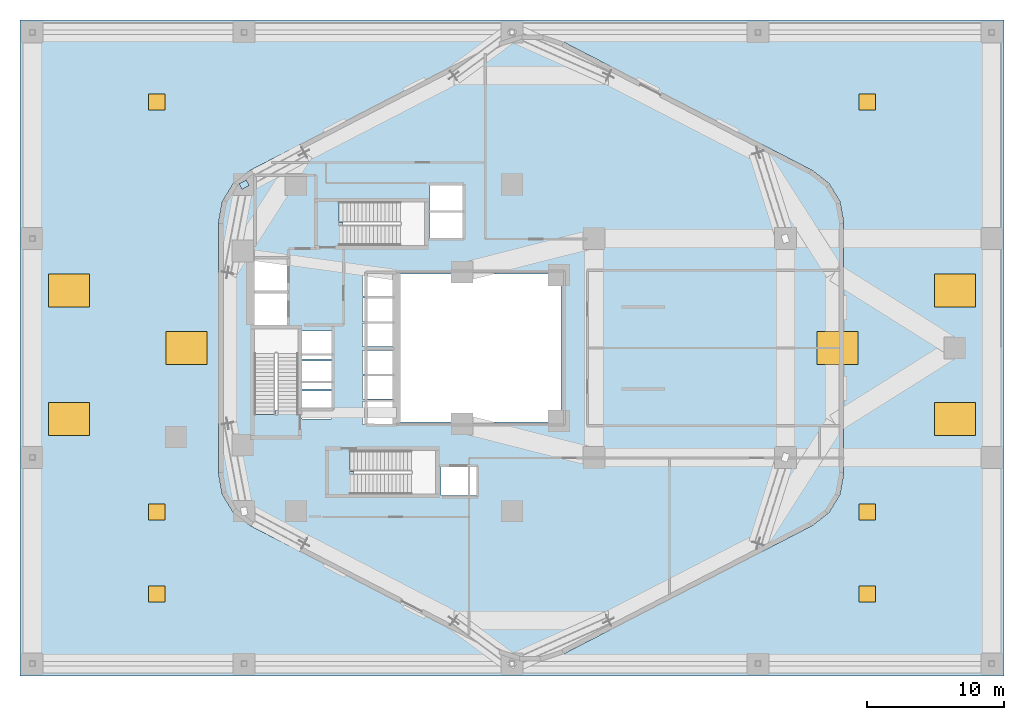
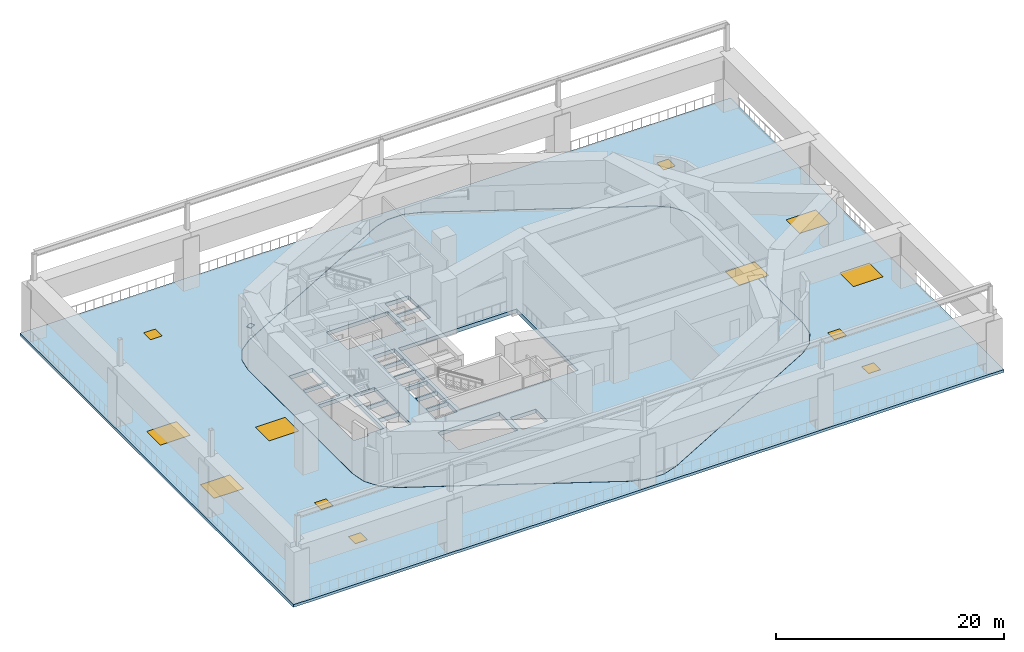
# One storey, part 8 of 15: 6 doors, 6 windows, 2 slabs, 1 plate, 12 openings, 1 element without a shape of its own.
"""IFC4 building model written with IfcOpenShell, lengths in metres."""

from ifc_helpers import new_model, si_unit, direction, frame, origin, origin_2d, place, context, subcontext, project, spatial, polyline, rectangle, outline, extrude, material, layer, layer_set, type_object, element, fill, aggregate, save


model = new_model("IFC4")

# Units and contexts
model_context = context("Model", 3, precision=1e-05, world=origin(), true_north=direction((0.0, 1.0)))
body_context = subcontext(model_context, "Body", "Model", "MODEL_VIEW")
ifc_project = project(units=[si_unit("LENGTHUNIT", "METRE"), si_unit("AREAUNIT", "SQUARE_METRE"), si_unit("VOLUMEUNIT", "CUBIC_METRE"), si_unit("PLANEANGLEUNIT", "RADIAN"), si_unit("MASSUNIT", "GRAM", prefix="KILO"), si_unit("THERMODYNAMICTEMPERATUREUNIT", "KELVIN"), si_unit("POWERUNIT", "WATT")], contexts=[model_context])

# Site, building, storey
site_placement = place(None, origin())
site = spatial("IfcSite", under=ifc_project, at=site_placement, CompositionType="ELEMENT")
building_placement = place(site_placement, origin())
building = spatial("IfcBuilding", under=site, at=building_placement, Name="Skarre Station Tower", CompositionType="ELEMENT")
storey_placement = place(building_placement, frame((0.0, 0.0, 21.0)))
storey = spatial("IfcBuildingStorey", under=building, at=storey_placement, Name="L05", CompositionType="ELEMENT", Elevation=21.0)

# Plate
ifc_material_1 = material(Name="Steel ASTM A572 Grade 50", Category="steel")
ifc_layer_1 = layer(ifc_material_1, 0.030029296875, Name="Steel ASTM A572 Grade 50")
ifc_layer_set_1 = layer_set([ifc_layer_1], Name="Steel ASTM A572 Grade 50")
plate_type = type_object("IfcPlateType", Name="Hollow-Section End Cap Plate 600x460x30", PredefinedType="USERDEFINED", material=ifc_layer_set_1)
plate_placement = place(storey_placement, frame((16.39990234375, 35.949951171875, 2.3349609375), z_axis=(0.0, 0.0, 1.0), x_axis=(0.881929491639, 0.471381344324, 0.0)))
element("IfcPlate", 1, at=plate_placement, inside=storey, type_object=plate_type, Name="L05 Transfer Brace Base Gusset Plate F1C2", ObjectType="STIFFENER_PLATE", PredefinedType="USERDEFINED", context=body_context, shape_type="SweptSolid", body=[
    extrude(rectangle(XDim=0.60009765625, YDim=0.4599609375, at=origin_2d()), origin(), (0.0, 0.0, 1.0), 0.030029296875),
])

# Roof, slab, openings, windows, doors
ifc_material_2 = material(Name="Precast concrete C40/50", Category="concrete")
ifc_layer_2 = layer(ifc_material_2, 0.320068359375, Name="Precast concrete C40/50")
ifc_layer_set_2 = layer_set([ifc_layer_2], Name="Precast concrete C40/50")
roof_type = type_object("IfcRoofType", Name="Insulated Standing-Seam & Inverted Ballasted Roof Assembly", PredefinedType="FLAT_ROOF", material=ifc_layer_set_2)
roof_placement = place(storey_placement, origin())
roof = element("IfcRoof", 2, at=roof_placement, inside=storey, type_object=roof_type, Name="L05 Station Podium Roof Terrace Assembly", PredefinedType="FLAT_ROOF")
ifc_material_3 = material(Name="Concrete C50/60", Category="concrete")
ifc_layer_3 = layer(ifc_material_3, 0.284912109375, Name="Concrete C50/60")
ifc_layer_set_3 = layer_set([ifc_layer_3], Name="Concrete C50/60")
slab_type_1 = type_object("IfcSlabType", Name="Occupied Terrace Roof Deck Slab 285", PredefinedType="ROOF", material=ifc_layer_set_3)
slab_1_placement = place(storey_placement, frame((0.0, 0.0, -0.284912109375)))
slab_1 = element("IfcSlab", 3, at=slab_1_placement, type_object=slab_type_1, Name="L05 Podium Roof Garden Terrace Slab", PredefinedType="ROOF", context=body_context, shape_type="SweptSolid", body=[
    extrude(outline(polyline([(72.0, 0.0), (72.0, 48.0), (0.0, 48.0), (0.0, 0.0), (72.0, 0.0)]), holes=[polyline([(60.27294921875, 33.202880859375), (60.27294921875, 14.797119140625), (59.990966796875, 13.27197265625), (59.18505859375, 11.947998046875), (57.958984375, 11.0), (39.712890625, 1.5830078125), (38.197998046875, 1.083984375), (36.60205078125, 1.083984375), (35.0869140625, 1.5830078125), (16.841064453125, 11.0), (15.614990234375, 11.947998046875), (14.80908203125, 13.27197265625), (14.527099609375, 14.797119140625), (14.527099609375, 33.202880859375), (14.80908203125, 34.72802734375), (15.614990234375, 36.052001953125), (16.841064453125, 37.0), (35.0869140625, 46.4169921875), (36.60205078125, 46.916015625), (38.197998046875, 46.916015625), (39.712890625, 46.4169921875), (57.958984375, 37.0), (59.18505859375, 36.052001953125), (59.990966796875, 34.72802734375), (60.27294921875, 33.202880859375)])]), origin(), (0.0, 0.0, 1.0), 0.284912109375),
])
opening_1_placement = place(slab_1_placement, frame((3.60009765625, 18.800048828125, 0.0)))
opening_1 = element("IfcOpeningElement", 4, at=opening_1_placement, cuts=slab_1, Name="Opening WN-SKY", PredefinedType="OPENING", context=body_context, shape_type="SweptSolid", body=[
    extrude(rectangle(XDim=3.0, YDim=2.39990234375, at=origin_2d()), frame((0.0, 0.0, -0.010009765625)), (0.0, 0.0, 1.0), 0.304931640625),
])
opening_2_placement = place(slab_1_placement, frame((3.60009765625, 28.199951171875, 0.0)))
opening_2 = element("IfcOpeningElement", 5, at=opening_2_placement, cuts=slab_1, Name="Opening WN-SKY", PredefinedType="OPENING", context=body_context, shape_type="SweptSolid", body=[
    extrude(rectangle(XDim=3.0, YDim=2.39990234375, at=origin_2d()), frame((0.0, 0.0, -0.010009765625)), (0.0, 0.0, 1.0), 0.304931640625),
])
opening_3_placement = place(slab_1_placement, frame((12.199951171875, 24.0, 0.0)))
opening_3 = element("IfcOpeningElement", 6, at=opening_3_placement, cuts=slab_1, Name="Opening WN-SKY", PredefinedType="OPENING", context=body_context, shape_type="SweptSolid", body=[
    extrude(rectangle(XDim=3.0, YDim=2.39990234375, at=origin_2d()), frame((0.0, 0.0, -0.010009765625)), (0.0, 0.0, 1.0), 0.304931640625),
])
opening_4_placement = place(slab_1_placement, frame((59.800048828125, 24.0, 0.0)))
opening_4 = element("IfcOpeningElement", 7, at=opening_4_placement, cuts=slab_1, Name="Opening WN-SKY", PredefinedType="OPENING", context=body_context, shape_type="SweptSolid", body=[
    extrude(rectangle(XDim=3.0, YDim=2.39990234375, at=origin_2d()), frame((0.0, 0.0, -0.010009765625)), (0.0, 0.0, 1.0), 0.304931640625),
])
opening_5_placement = place(slab_1_placement, frame((68.39990234375, 18.800048828125, 0.0)))
opening_5 = element("IfcOpeningElement", 8, at=opening_5_placement, cuts=slab_1, Name="Opening WN-SKY", PredefinedType="OPENING", context=body_context, shape_type="SweptSolid", body=[
    extrude(rectangle(XDim=3.0, YDim=2.39990234375, at=origin_2d()), frame((0.0, 0.0, -0.010009765625)), (0.0, 0.0, 1.0), 0.304931640625),
])
opening_6_placement = place(slab_1_placement, frame((68.39990234375, 28.199951171875, 0.0)))
opening_6 = element("IfcOpeningElement", 9, at=opening_6_placement, cuts=slab_1, Name="Opening WN-SKY", PredefinedType="OPENING", context=body_context, shape_type="SweptSolid", body=[
    extrude(rectangle(XDim=3.0, YDim=2.39990234375, at=origin_2d()), frame((0.0, 0.0, -0.010009765625)), (0.0, 0.0, 1.0), 0.304931640625),
])
opening_7_placement = place(slab_1_placement, frame((10.0, 6.0, 0.0)))
opening_7 = element("IfcOpeningElement", 10, at=opening_7_placement, cuts=slab_1, Name="Opening HT-ROOF120", PredefinedType="OPENING", context=body_context, shape_type="SweptSolid", body=[
    extrude(rectangle(XDim=1.199951171875, YDim=1.199951171875, at=origin_2d()), frame((0.0, 0.0, -0.010009765625)), (0.0, 0.0, 1.0), 0.304931640625),
])
opening_8_placement = place(slab_1_placement, frame((10.0, 12.0, 0.0)))
opening_8 = element("IfcOpeningElement", 11, at=opening_8_placement, cuts=slab_1, Name="Opening HT-ROOF120", PredefinedType="OPENING", context=body_context, shape_type="SweptSolid", body=[
    extrude(rectangle(XDim=1.199951171875, YDim=1.199951171875, at=origin_2d()), frame((0.0, 0.0, -0.010009765625)), (0.0, 0.0, 1.0), 0.304931640625),
])
opening_9_placement = place(slab_1_placement, frame((10.0, 42.0, 0.0)))
opening_9 = element("IfcOpeningElement", 12, at=opening_9_placement, cuts=slab_1, Name="Opening HT-ROOF120", PredefinedType="OPENING", context=body_context, shape_type="SweptSolid", body=[
    extrude(rectangle(XDim=1.199951171875, YDim=1.199951171875, at=origin_2d()), frame((0.0, 0.0, -0.010009765625)), (0.0, 0.0, 1.0), 0.304931640625),
])
opening_10_placement = place(slab_1_placement, frame((62.0, 6.0, 0.0)))
opening_10 = element("IfcOpeningElement", 13, at=opening_10_placement, cuts=slab_1, Name="Opening HT-ROOF120", PredefinedType="OPENING", context=body_context, shape_type="SweptSolid", body=[
    extrude(rectangle(XDim=1.199951171875, YDim=1.199951171875, at=origin_2d()), frame((0.0, 0.0, -0.010009765625)), (0.0, 0.0, 1.0), 0.304931640625),
])
opening_11_placement = place(slab_1_placement, frame((62.0, 12.0, 0.0)))
opening_11 = element("IfcOpeningElement", 14, at=opening_11_placement, cuts=slab_1, Name="Opening HT-ROOF120", PredefinedType="OPENING", context=body_context, shape_type="SweptSolid", body=[
    extrude(rectangle(XDim=1.199951171875, YDim=1.199951171875, at=origin_2d()), frame((0.0, 0.0, -0.010009765625)), (0.0, 0.0, 1.0), 0.304931640625),
])
opening_12_placement = place(slab_1_placement, frame((62.0, 42.0, 0.0)))
opening_12 = element("IfcOpeningElement", 15, at=opening_12_placement, cuts=slab_1, Name="Opening HT-ROOF120", PredefinedType="OPENING", context=body_context, shape_type="SweptSolid", body=[
    extrude(rectangle(XDim=1.199951171875, YDim=1.199951171875, at=origin_2d()), frame((0.0, 0.0, -0.010009765625)), (0.0, 0.0, 1.0), 0.304931640625),
])
ifc_material_4 = material(Name="Low-Iron Triple Glazing with Bronze Anodized Frame", Category="glass")
window_type = type_object("IfcWindowType", Name="Atrium Lantern Triple-Glazed Skylight 3000x2400", PartitioningType="SINGLE_PANEL", PredefinedType="SKYLIGHT", material=ifc_material_4)
window_1_placement = place(opening_1_placement, frame((0.0, 0.0, 0.23486328125)))
window_1 = element("IfcWindow", 16, at=window_1_placement, inside=storey, type_object=window_type, Name="L05 Station Concourse Roof Skylight 1", OverallHeight=2.39990234375, OverallWidth=3.0, PartitioningType="SINGLE_PANEL", PredefinedType="SKYLIGHT", context=body_context, shape_type="SweptSolid", body=[
    extrude(rectangle(XDim=3.0, YDim=2.39990234375, at=origin_2d()), origin(), (0.0, 0.0, 1.0), 0.050048828125),
])
fill(opening_1, window_1)
window_2_placement = place(opening_2_placement, frame((0.0, 0.0, 0.23486328125)))
window_2 = element("IfcWindow", 17, at=window_2_placement, inside=storey, type_object=window_type, Name="L05 Station Concourse Roof Skylight 2", OverallHeight=2.39990234375, OverallWidth=3.0, PartitioningType="SINGLE_PANEL", PredefinedType="SKYLIGHT", context=body_context, shape_type="SweptSolid", body=[
    extrude(rectangle(XDim=3.0, YDim=2.39990234375, at=origin_2d()), origin(), (0.0, 0.0, 1.0), 0.050048828125),
])
fill(opening_2, window_2)
window_3_placement = place(opening_3_placement, frame((0.0, 0.0, 0.23486328125)))
window_3 = element("IfcWindow", 18, at=window_3_placement, inside=storey, type_object=window_type, Name="L05 Station Concourse Roof Skylight 3", OverallHeight=2.39990234375, OverallWidth=3.0, PartitioningType="SINGLE_PANEL", PredefinedType="SKYLIGHT", context=body_context, shape_type="SweptSolid", body=[
    extrude(rectangle(XDim=3.0, YDim=2.39990234375, at=origin_2d()), origin(), (0.0, 0.0, 1.0), 0.050048828125),
])
fill(opening_3, window_3)
window_4_placement = place(opening_4_placement, frame((0.0, 0.0, 0.23486328125)))
window_4 = element("IfcWindow", 19, at=window_4_placement, inside=storey, type_object=window_type, Name="L05 Station Concourse Roof Skylight 4", OverallHeight=2.39990234375, OverallWidth=3.0, PartitioningType="SINGLE_PANEL", PredefinedType="SKYLIGHT", context=body_context, shape_type="SweptSolid", body=[
    extrude(rectangle(XDim=3.0, YDim=2.39990234375, at=origin_2d()), origin(), (0.0, 0.0, 1.0), 0.050048828125),
])
fill(opening_4, window_4)
window_5_placement = place(opening_5_placement, frame((0.0, 0.0, 0.23486328125)))
window_5 = element("IfcWindow", 20, at=window_5_placement, inside=storey, type_object=window_type, Name="L05 Station Concourse Roof Skylight 5", OverallHeight=2.39990234375, OverallWidth=3.0, PartitioningType="SINGLE_PANEL", PredefinedType="SKYLIGHT", context=body_context, shape_type="SweptSolid", body=[
    extrude(rectangle(XDim=3.0, YDim=2.39990234375, at=origin_2d()), origin(), (0.0, 0.0, 1.0), 0.050048828125),
])
fill(opening_5, window_5)
window_6_placement = place(opening_6_placement, frame((0.0, 0.0, 0.23486328125)))
window_6 = element("IfcWindow", 21, at=window_6_placement, inside=storey, type_object=window_type, Name="L05 Station Concourse Roof Skylight 6", OverallHeight=2.39990234375, OverallWidth=3.0, PartitioningType="SINGLE_PANEL", PredefinedType="SKYLIGHT", context=body_context, shape_type="SweptSolid", body=[
    extrude(rectangle(XDim=3.0, YDim=2.39990234375, at=origin_2d()), origin(), (0.0, 0.0, 1.0), 0.050048828125),
])
fill(opening_6, window_6)
ifc_material_5 = material(Name="Thermally Broken Aluminium Curb & Steel Lid", Category="steel")
door_type = type_object("IfcDoorType", Name="Insulated Roof & Smoke-Vent Access Hatch 1200x1200", OperationType="SWING_FIXED_LEFT", PredefinedType="TRAPDOOR", material=ifc_material_5)
door_1_placement = place(opening_7_placement, frame((0.0, 0.0, 0.23486328125)))
door_1 = element("IfcDoor", 22, at=door_1_placement, inside=storey, type_object=door_type, Name="L05 Podium Roof Smoke Vent & Access Hatch 1", OperationType="SINGLE_SWING_LEFT", OverallHeight=1.199951171875, OverallWidth=1.199951171875, PredefinedType="TRAPDOOR", context=body_context, shape_type="SweptSolid", body=[
    extrude(rectangle(XDim=1.199951171875, YDim=1.199951171875, at=origin_2d()), origin(), (0.0, 0.0, 1.0), 0.050048828125),
])
fill(opening_7, door_1)
door_2_placement = place(opening_8_placement, frame((0.0, 0.0, 0.23486328125)))
door_2 = element("IfcDoor", 23, at=door_2_placement, inside=storey, type_object=door_type, Name="L05 Podium Roof Smoke Vent & Access Hatch 2", OperationType="SINGLE_SWING_LEFT", OverallHeight=1.199951171875, OverallWidth=1.199951171875, PredefinedType="TRAPDOOR", context=body_context, shape_type="SweptSolid", body=[
    extrude(rectangle(XDim=1.199951171875, YDim=1.199951171875, at=origin_2d()), origin(), (0.0, 0.0, 1.0), 0.050048828125),
])
fill(opening_8, door_2)
door_3_placement = place(opening_9_placement, frame((0.0, 0.0, 0.23486328125)))
door_3 = element("IfcDoor", 24, at=door_3_placement, inside=storey, type_object=door_type, Name="L05 Podium Roof Smoke Vent & Access Hatch 3", OperationType="SINGLE_SWING_LEFT", OverallHeight=1.199951171875, OverallWidth=1.199951171875, PredefinedType="TRAPDOOR", context=body_context, shape_type="SweptSolid", body=[
    extrude(rectangle(XDim=1.199951171875, YDim=1.199951171875, at=origin_2d()), origin(), (0.0, 0.0, 1.0), 0.050048828125),
])
fill(opening_9, door_3)
door_4_placement = place(opening_10_placement, frame((0.0, 0.0, 0.23486328125)))
door_4 = element("IfcDoor", 25, at=door_4_placement, inside=storey, type_object=door_type, Name="L05 Podium Roof Smoke Vent & Access Hatch 4", OperationType="SINGLE_SWING_LEFT", OverallHeight=1.199951171875, OverallWidth=1.199951171875, PredefinedType="TRAPDOOR", context=body_context, shape_type="SweptSolid", body=[
    extrude(rectangle(XDim=1.199951171875, YDim=1.199951171875, at=origin_2d()), origin(), (0.0, 0.0, 1.0), 0.050048828125),
])
fill(opening_10, door_4)
door_5_placement = place(opening_11_placement, frame((0.0, 0.0, 0.23486328125)))
door_5 = element("IfcDoor", 26, at=door_5_placement, inside=storey, type_object=door_type, Name="L05 Podium Roof Smoke Vent & Access Hatch 5", OperationType="SINGLE_SWING_LEFT", OverallHeight=1.199951171875, OverallWidth=1.199951171875, PredefinedType="TRAPDOOR", context=body_context, shape_type="SweptSolid", body=[
    extrude(rectangle(XDim=1.199951171875, YDim=1.199951171875, at=origin_2d()), origin(), (0.0, 0.0, 1.0), 0.050048828125),
])
fill(opening_11, door_5)
door_6_placement = place(opening_12_placement, frame((0.0, 0.0, 0.23486328125)))
door_6 = element("IfcDoor", 27, at=door_6_placement, inside=storey, type_object=door_type, Name="L05 Podium Roof Smoke Vent & Access Hatch 6", OperationType="SINGLE_SWING_LEFT", OverallHeight=1.199951171875, OverallWidth=1.199951171875, PredefinedType="TRAPDOOR", context=body_context, shape_type="SweptSolid", body=[
    extrude(rectangle(XDim=1.199951171875, YDim=1.199951171875, at=origin_2d()), origin(), (0.0, 0.0, 1.0), 0.050048828125),
])
fill(opening_12, door_6)
aggregate(roof, [slab_1])

# Slab
ifc_layer_4 = layer(ifc_material_3, 0.419921875, Name="Concrete C50/60")
ifc_layer_set_4 = layer_set([ifc_layer_4], Name="Concrete C50/60")
slab_type_2 = type_object("IfcSlabType", Name="Transfer & Concourse Floor Slab 360", PredefinedType="FLOOR", material=ifc_layer_set_4)
slab_2_placement = place(storey_placement, frame((0.0, 0.0, -0.419921875)))
element("IfcSlab", 28, at=slab_2_placement, inside=storey, type_object=slab_type_2, Name="L05 Transfer & Mechanical Floor Slab", PredefinedType="FLOOR", context=body_context, shape_type="SweptSolid", body=[
    extrude(outline(polyline([(60.262939453125, 33.201904296875), (59.98193359375, 34.72412109375), (59.177001953125, 36.044921875), (57.9541015625, 36.991943359375), (39.708984375, 46.407958984375), (38.196044921875, 46.906005859375), (36.60400390625, 46.906005859375), (35.091064453125, 46.407958984375), (16.845947265625, 36.991943359375), (15.623046875, 36.044921875), (14.818115234375, 34.72412109375), (14.537109375, 33.201904296875), (14.537109375, 14.798095703125), (14.818115234375, 13.27587890625), (15.623046875, 11.955078125), (16.845947265625, 11.008056640625), (35.091064453125, 1.592041015625), (36.60400390625, 1.093994140625), (38.196044921875, 1.093994140625), (39.708984375, 1.592041015625), (57.9541015625, 11.008056640625), (59.177001953125, 11.955078125), (59.98193359375, 13.27587890625), (60.262939453125, 14.798095703125), (60.262939453125, 33.201904296875)]), holes=[polyline([(18.669921875, 19.419921875), (18.669921875, 19.123046875), (17.14990234375, 19.123046875), (17.14990234375, 25.39990234375), (20.35009765625, 25.39990234375), (20.35009765625, 19.419921875), (18.669921875, 19.419921875)]), polyline([(24.449951171875, 14.97998046875), (24.153076171875, 14.97998046875), (24.153076171875, 16.5), (30.39990234375, 16.5), (30.39990234375, 13.300048828125), (24.449951171875, 13.300048828125), (24.449951171875, 14.97998046875)]), polyline([(23.64990234375, 33.179931640625), (23.35302734375, 33.179931640625), (23.35302734375, 34.699951171875), (29.60009765625, 34.699951171875), (29.60009765625, 31.5), (23.64990234375, 31.5), (23.64990234375, 33.179931640625)]), polyline([(17.14990234375, 28.0), (19.550048828125, 28.0), (19.550048828125, 25.699951171875), (17.14990234375, 25.699951171875), (17.14990234375, 28.0)]), polyline([(17.14990234375, 30.5), (19.550048828125, 30.5), (19.550048828125, 28.199951171875), (17.14990234375, 28.199951171875), (17.14990234375, 30.5)]), polyline([(30.800048828125, 15.300048828125), (33.39990234375, 15.300048828125), (33.39990234375, 13.199951171875), (30.800048828125, 13.199951171875), (30.800048828125, 15.300048828125)]), polyline([(25.050048828125, 20.10009765625), (27.25, 20.10009765625), (27.25, 18.39990234375), (25.050048828125, 18.39990234375), (25.050048828125, 20.10009765625)]), polyline([(25.050048828125, 21.949951171875), (27.25, 21.949951171875), (27.25, 20.25), (25.050048828125, 20.25), (25.050048828125, 21.949951171875)]), polyline([(25.050048828125, 23.800048828125), (27.25, 23.800048828125), (27.25, 22.10009765625), (25.050048828125, 22.10009765625), (25.050048828125, 23.800048828125)]), polyline([(25.050048828125, 25.800048828125), (27.25, 25.800048828125), (27.25, 24.10009765625), (25.050048828125, 24.10009765625), (25.050048828125, 25.800048828125)]), polyline([(25.050048828125, 27.64990234375), (27.25, 27.64990234375), (27.25, 25.949951171875), (25.050048828125, 25.949951171875), (25.050048828125, 27.64990234375)]), polyline([(25.050048828125, 29.5), (27.25, 29.5), (27.25, 27.800048828125), (25.050048828125, 27.800048828125), (25.050048828125, 29.5)]), polyline([(20.64990234375, 20.85009765625), (22.800048828125, 20.85009765625), (22.800048828125, 18.800048828125), (20.64990234375, 18.800048828125), (20.64990234375, 20.85009765625)]), polyline([(20.64990234375, 23.050048828125), (22.800048828125, 23.050048828125), (22.800048828125, 21.0), (20.64990234375, 21.0), (20.64990234375, 23.050048828125)]), polyline([(20.64990234375, 25.25), (22.800048828125, 25.25), (22.800048828125, 23.199951171875), (20.64990234375, 23.199951171875), (20.64990234375, 25.25)]), polyline([(30.0, 33.89990234375), (32.39990234375, 33.89990234375), (32.39990234375, 32.050048828125), (30.0, 32.050048828125), (30.0, 33.89990234375)]), polyline([(30.0, 35.89990234375), (32.39990234375, 35.89990234375), (32.39990234375, 34.050048828125), (30.0, 34.050048828125), (30.0, 35.89990234375)]), polyline([(27.60009765625, 29.39990234375), (39.60009765625, 29.39990234375), (39.60009765625, 18.60009765625), (27.60009765625, 18.60009765625), (27.60009765625, 29.39990234375)])]), origin(), (0.0, 0.0, 1.0), 0.419921875),
])

save(model, "model.ifc")
